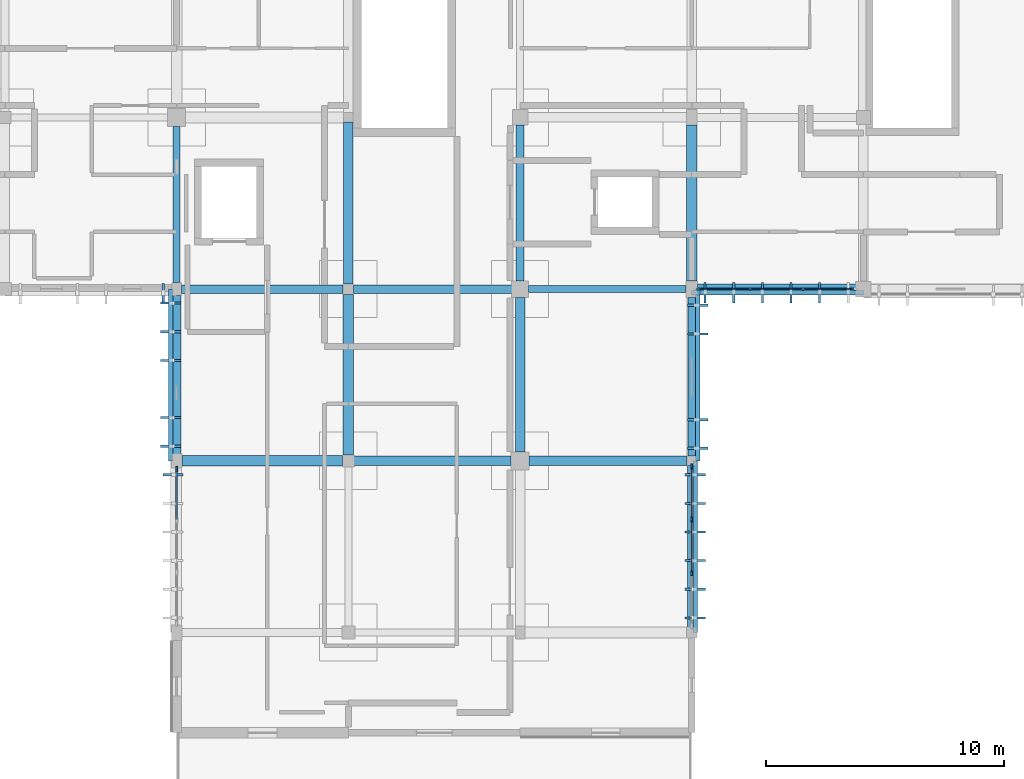
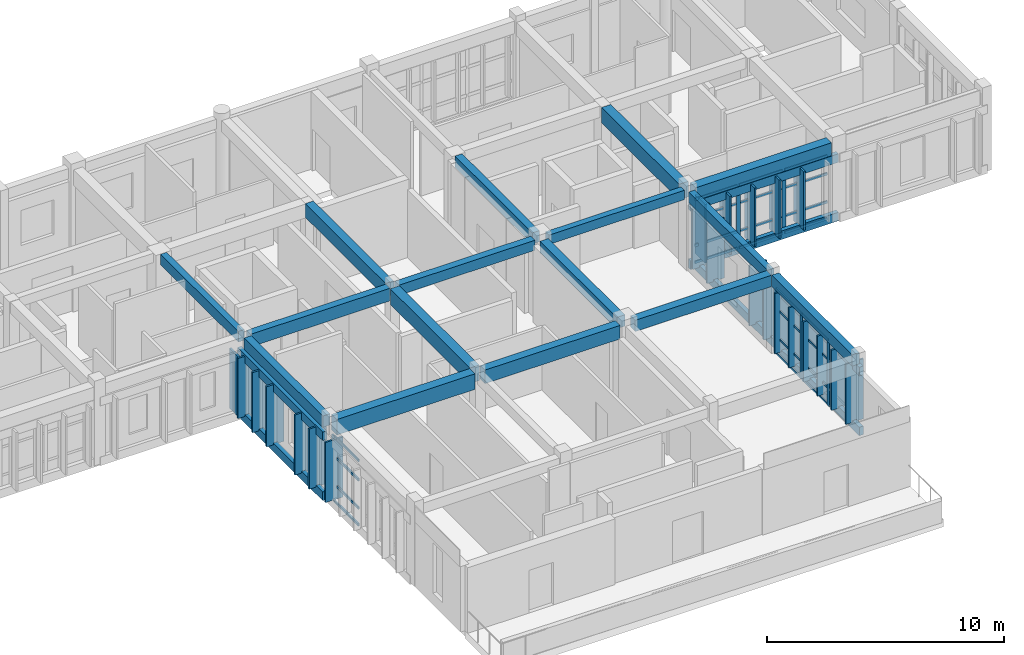
# One storey, part 3 of 19: 53 members, 24 beams, 3 elements without a shape of their own.
"""IFC4 building model written with IfcOpenShell, lengths in metres."""

from ifc_helpers import new_model, si_unit, direction, frame, origin, origin_2d, place, context, subcontext, project, spatial, rectangle, extrude, material, material_profile, profile_set, type_object, element, aggregate, save


model = new_model("IFC4")

# Units and contexts
model_context = context("Model", 3, precision=1e-05, world=origin(), true_north=direction((0.0, 1.0)))
body_context = subcontext(model_context, "Body", "Model", "MODEL_VIEW")
ifc_project = project(units=[si_unit("LENGTHUNIT", "METRE"), si_unit("AREAUNIT", "SQUARE_METRE"), si_unit("VOLUMEUNIT", "CUBIC_METRE"), si_unit("PLANEANGLEUNIT", "RADIAN"), si_unit("MASSUNIT", "GRAM", prefix="KILO")], contexts=[model_context])

# Site, building, storey
site_placement = place(None, origin())
site = spatial("IfcSite", under=ifc_project, at=site_placement, CompositionType="ELEMENT")
building_placement = place(site_placement, origin())
building = spatial("IfcBuilding", under=site, at=building_placement, Name="Steenspoor Specialist Clinic", CompositionType="ELEMENT")
storey_placement = place(building_placement, frame((0.0, 0.0, 21.60009765625)))
storey = spatial("IfcBuildingStorey", under=building, at=storey_placement, Name="L05", CompositionType="ELEMENT", Elevation=21.60009765625)

# Beams
ifc_material_1 = material(Name="Glulam GL28h", Category="wood")
ifc_material_profile_1 = material_profile(ifc_material_1, rectangle(XDim=0.199951171875, YDim=0.43994140625, at=origin_2d()), Name="GL28H-200X440")
ifc_profile_set_1 = profile_set([ifc_material_profile_1], Name="Glulam GL28h")
beam_type_1 = type_object("IfcBeamType", Name="BM-GL-200X440", PredefinedType="BEAM", material=ifc_profile_set_1)
for number, where, z_axis, x_axis, name in (
    (1, (73.75, 86.75, 0.139892578125), (0.0, 1.0, 0.0), (-1.0, 0.0, 0.0), "Timber Screen Tie Rail V4 L05 107"),
    (2, (73.75, 86.75, 3.22998046875), (0.0, 1.0, 0.0), (-1.0, 0.0, 0.0), "Timber Screen Tie Rail V4 L05 108"),
    (3, (102.800048828125, 93.800048828125, 0.139892578125), (-1.0, 0.0, 0.0), (0.0, -1.0, 0.0), "Timber Screen Tie Rail V4 L05 156"),
    (4, (102.800048828125, 93.800048828125, 3.14990234375), (-1.0, 0.0, 0.0), (0.0, -1.0, 0.0), "Timber Screen Tie Rail V4 L05 157"),
    (5, (95.85009765625, 93.949951171875, 0.139892578125), (0.0, -1.0, 0.0), (1.0, 0.0, 0.0), "Timber Screen Tie Rail V4 L05 164"),
    (6, (95.85009765625, 93.949951171875, 3.22998046875), (0.0, -1.0, 0.0), (1.0, 0.0, 0.0), "Timber Screen Tie Rail V4 L05 165"),
    (7, (95.75, 86.75, 0.139892578125), (0.0, -1.0, 0.0), (1.0, 0.0, 0.0), "Timber Screen Tie Rail V4 L05 170"),
    (8, (95.75, 86.75, 3.22998046875), (0.0, -1.0, 0.0), (1.0, 0.0, 0.0), "Timber Screen Tie Rail V4 L05 171"),
):
    element("IfcBeam", number, at=place(storey_placement, frame(where, z_axis=z_axis, x_axis=x_axis)), inside=storey, type_object=beam_type_1, Name=name, PredefinedType="BEAM", context=body_context, shape_type="SweptSolid", body=[
        extrude(rectangle(XDim=0.199951171875, YDim=0.43994140625, at=origin_2d()), origin(), (0.0, 0.0, 1.0), 7.199951171875),
    ])
ifc_material_2 = material(Name="Concrete C35/45", Category="concrete")
ifc_material_profile_2 = material_profile(ifc_material_2, rectangle(XDim=0.300048828125, YDim=0.47998046875, at=origin_2d()), Name="RC-BM-300X480")
ifc_profile_set_2 = profile_set([ifc_material_profile_2], Name="Concrete C35/45")
beam_type_2 = type_object("IfcBeamType", Name="BM-RC-300X480", PredefinedType="BEAM", material=ifc_profile_set_2)
beam_1_placement = place(storey_placement, frame((88.7451171875, 93.949951171875, 3.794921875), z_axis=(1.0, 0.0, 0.0), x_axis=(0.0, 1.0, 0.0)))
element("IfcBeam", 9, at=beam_1_placement, inside=storey, type_object=beam_type_2, Name="BM-V4-L05-X1014", PredefinedType="BEAM", context=body_context, shape_type="SweptSolid", body=[
    extrude(rectangle(XDim=0.300048828125, YDim=0.47998046875, at=origin_2d()), origin(), (0.0, 0.0, 1.0), 6.60986328125),
])
ifc_material_profile_3 = material_profile(ifc_material_2, rectangle(XDim=0.300048828125, YDim=0.550048828125, at=origin_2d()), Name="RC-BM-300X550")
ifc_profile_set_3 = profile_set([ifc_material_profile_3], Name="Concrete C35/45")
beam_type_3 = type_object("IfcBeamType", Name="BM-RC-300X550", PredefinedType="BEAM", material=ifc_profile_set_3)
beam_2_placement = place(storey_placement, frame((74.0, 94.219970703125, 3.760009765625), z_axis=(0.0, 1.0, 0.0), x_axis=(-1.0, 0.0, 0.0)))
element("IfcBeam", 10, at=beam_2_placement, inside=storey, type_object=beam_type_3, Name="BM-V4-L05-Y1034", PredefinedType="BEAM", context=body_context, shape_type="SweptSolid", body=[
    extrude(rectangle(XDim=0.300048828125, YDim=0.550048828125, at=origin_2d()), origin(), (0.0, 0.0, 1.0), 6.56005859375),
])
beam_3_placement = place(storey_placement, frame((95.60009765625, 86.945068359375, 3.760009765625), z_axis=(0.0, 1.0, 0.0), x_axis=(-1.0, 0.0, 0.0)))
element("IfcBeam", 11, at=beam_3_placement, inside=storey, type_object=beam_type_3, Name="BM-V4-L05-Y1045", PredefinedType="BEAM", context=body_context, shape_type="SweptSolid", body=[
    extrude(rectangle(XDim=0.300048828125, YDim=0.550048828125, at=origin_2d()), origin(), (0.0, 0.0, 1.0), 6.659912109375),
])
ifc_material_profile_4 = material_profile(ifc_material_2, rectangle(XDim=0.35009765625, YDim=0.52001953125, at=origin_2d()), Name="RC-BM-350X520")
ifc_profile_set_4 = profile_set([ifc_material_profile_4], Name="Concrete C35/45")
beam_type_4 = type_object("IfcBeamType", Name="BM-RC-350X520", PredefinedType="BEAM", material=ifc_profile_set_4)
beam_4_placement = place(storey_placement, frame((81.419921875, 93.949951171875, 3.77490234375), z_axis=(1.0, 0.0, 0.0), x_axis=(0.0, 1.0, 0.0)))
element("IfcBeam", 12, at=beam_4_placement, inside=storey, type_object=beam_type_4, Name="BM-V4-L05-X1013", PredefinedType="BEAM", context=body_context, shape_type="SweptSolid", body=[
    extrude(rectangle(XDim=0.35009765625, YDim=0.52001953125, at=origin_2d()), origin(), (0.0, 0.0, 1.0), 6.635009765625),
])
ifc_material_profile_5 = material_profile(ifc_material_2, rectangle(XDim=0.35009765625, YDim=0.580078125, at=origin_2d()), Name="RC-BM-350X580")
ifc_profile_set_5 = profile_set([ifc_material_profile_5], Name="Concrete C35/45")
beam_type_5 = type_object("IfcBeamType", Name="BM-RC-350X580", PredefinedType="BEAM", material=ifc_profile_set_5)
beam_5_placement = place(storey_placement, frame((74.0, 87.044921875, 3.744873046875), z_axis=(0.0, 1.0, 0.0), x_axis=(-1.0, 0.0, 0.0)))
element("IfcBeam", 13, at=beam_5_placement, inside=storey, type_object=beam_type_5, Name="BM-V4-L05-Y1033", PredefinedType="BEAM", context=body_context, shape_type="SweptSolid", body=[
    extrude(rectangle(XDim=0.35009765625, YDim=0.580078125, at=origin_2d()), origin(), (0.0, 0.0, 1.0), 6.635009765625),
])
beam_6_placement = place(storey_placement, frame((88.39990234375, 94.294921875, 3.744873046875), z_axis=(0.0, 1.0, 0.0), x_axis=(-1.0, 0.0, 0.0)))
element("IfcBeam", 14, at=beam_6_placement, inside=storey, type_object=beam_type_5, Name="BM-V4-L05-Y1042", PredefinedType="BEAM", context=body_context, shape_type="SweptSolid", body=[
    extrude(rectangle(XDim=0.35009765625, YDim=0.580078125, at=origin_2d()), origin(), (0.0, 0.0, 1.0), 6.53515625),
])
beam_7_placement = place(storey_placement, frame((95.60009765625, 79.77001953125, 3.744873046875), z_axis=(0.0, 1.0, 0.0), x_axis=(-1.0, 0.0, 0.0)))
element("IfcBeam", 15, at=beam_7_placement, inside=storey, type_object=beam_type_5, Name="BM-V4-L05-Y1044", PredefinedType="BEAM", context=body_context, shape_type="SweptSolid", body=[
    extrude(rectangle(XDim=0.35009765625, YDim=0.580078125, at=origin_2d()), origin(), (0.0, 0.0, 1.0), 6.784912109375),
])
ifc_material_profile_6 = material_profile(ifc_material_2, rectangle(XDim=0.35009765625, YDim=0.64990234375, at=origin_2d()), Name="RC-BM-350X650")
ifc_profile_set_6 = profile_set([ifc_material_profile_6], Name="Concrete C35/45")
beam_type_6 = type_object("IfcBeamType", Name="BM-RC-350X650", PredefinedType="BEAM", material=ifc_profile_set_6)
beam_8_placement = place(storey_placement, frame((74.195068359375, 93.949951171875, 3.7099609375), z_axis=(1.0, 0.0, 0.0), x_axis=(0.0, 1.0, 0.0)))
element("IfcBeam", 16, at=beam_8_placement, inside=storey, type_object=beam_type_6, Name="BM-V4-L05-X1012", PredefinedType="BEAM", context=body_context, shape_type="SweptSolid", body=[
    extrude(rectangle(XDim=0.35009765625, YDim=0.64990234375, at=origin_2d()), origin(), (0.0, 0.0, 1.0), 6.784912109375),
])
ifc_material_profile_7 = material_profile(ifc_material_2, rectangle(XDim=0.39990234375, YDim=0.580078125, at=origin_2d()), Name="RC-BM-400X580")
ifc_profile_set_7 = profile_set([ifc_material_profile_7], Name="Concrete C35/45")
beam_type_7 = type_object("IfcBeamType", Name="BM-RC-400X580", PredefinedType="BEAM", material=ifc_profile_set_7)
beam_9_placement = place(storey_placement, frame((88.77001953125, 86.75, 3.744873046875), z_axis=(1.0, 0.0, 0.0), x_axis=(0.0, 1.0, 0.0)))
element("IfcBeam", 17, at=beam_9_placement, inside=storey, type_object=beam_type_7, Name="BM-V4-L05-X1009", PredefinedType="BEAM", context=body_context, shape_type="SweptSolid", body=[
    extrude(rectangle(XDim=0.39990234375, YDim=0.580078125, at=origin_2d()), origin(), (0.0, 0.0, 1.0), 6.635009765625),
])
beam_10_placement = place(storey_placement, frame((88.39990234375, 87.1201171875, 3.744873046875), z_axis=(0.0, 1.0, 0.0), x_axis=(-1.0, 0.0, 0.0)))
element("IfcBeam", 18, at=beam_10_placement, inside=storey, type_object=beam_type_7, Name="BM-V4-L05-Y1041", PredefinedType="BEAM", context=body_context, shape_type="SweptSolid", body=[
    extrude(rectangle(XDim=0.39990234375, YDim=0.580078125, at=origin_2d()), origin(), (0.0, 0.0, 1.0), 6.48486328125),
])
ifc_material_profile_8 = material_profile(ifc_material_2, rectangle(XDim=0.39990234375, YDim=0.699951171875, at=origin_2d()), Name="RC-BM-400X700")
ifc_profile_set_8 = profile_set([ifc_material_profile_8], Name="Concrete C35/45")
beam_type_8 = type_object("IfcBeamType", Name="BM-RC-400X700", PredefinedType="BEAM", material=ifc_profile_set_8)
beam_11_placement = place(storey_placement, frame((81.445068359375, 86.75, 3.684814453125), z_axis=(1.0, 0.0, 0.0), x_axis=(0.0, 1.0, 0.0)))
element("IfcBeam", 19, at=beam_11_placement, inside=storey, type_object=beam_type_8, Name="BM-V4-L05-X1008", PredefinedType="BEAM", context=body_context, shape_type="SweptSolid", body=[
    extrude(rectangle(XDim=0.39990234375, YDim=0.699951171875, at=origin_2d()), origin(), (0.0, 0.0, 1.0), 6.5849609375),
])
beam_12_placement = place(storey_placement, frame((81.199951171875, 94.169921875, 3.684814453125), z_axis=(0.0, 1.0, 0.0), x_axis=(-1.0, 0.0, 0.0)))
element("IfcBeam", 20, at=beam_12_placement, inside=storey, type_object=beam_type_8, Name="BM-V4-L05-Y1038", PredefinedType="BEAM", context=body_context, shape_type="SweptSolid", body=[
    extrude(rectangle(XDim=0.39990234375, YDim=0.699951171875, at=origin_2d()), origin(), (0.0, 0.0, 1.0), 6.78515625),
])
ifc_material_profile_9 = material_profile(ifc_material_2, rectangle(XDim=0.449951171875, YDim=0.719970703125, at=origin_2d()), Name="RC-BM-450X720")
ifc_profile_set_9 = profile_set([ifc_material_profile_9], Name="Concrete C35/45")
beam_type_9 = type_object("IfcBeamType", Name="BM-RC-450X720", PredefinedType="BEAM", material=ifc_profile_set_9)
beam_13_placement = place(storey_placement, frame((95.844970703125, 93.949951171875, 3.6748046875), z_axis=(1.0, 0.0, 0.0), x_axis=(0.0, 1.0, 0.0)))
element("IfcBeam", 21, at=beam_13_placement, inside=storey, type_object=beam_type_9, Name="BM-V4-L05-X1015", PredefinedType="BEAM", context=body_context, shape_type="SweptSolid", body=[
    extrude(rectangle(XDim=0.449951171875, YDim=0.719970703125, at=origin_2d()), origin(), (0.0, 0.0, 1.0), 6.635009765625),
])
ifc_material_profile_10 = material_profile(ifc_material_2, rectangle(XDim=0.449951171875, YDim=0.800048828125, at=origin_2d()), Name="RC-BM-450X800")
ifc_profile_set_10 = profile_set([ifc_material_profile_10], Name="Concrete C35/45")
beam_type_10 = type_object("IfcBeamType", Name="BM-RC-450X800", PredefinedType="BEAM", material=ifc_profile_set_10)
beam_14_placement = place(storey_placement, frame((74.219970703125, 86.75, 3.635009765625), z_axis=(1.0, 0.0, 0.0), x_axis=(0.0, 1.0, 0.0)))
element("IfcBeam", 22, at=beam_14_placement, inside=storey, type_object=beam_type_10, Name="BM-V4-L05-X1007", PredefinedType="BEAM", context=body_context, shape_type="SweptSolid", body=[
    extrude(rectangle(XDim=0.449951171875, YDim=0.800048828125, at=origin_2d()), origin(), (0.0, 0.0, 1.0), 6.735107421875),
])
beam_15_placement = place(storey_placement, frame((81.199951171875, 86.9951171875, 3.635009765625), z_axis=(0.0, 1.0, 0.0), x_axis=(-1.0, 0.0, 0.0)))
element("IfcBeam", 23, at=beam_15_placement, inside=storey, type_object=beam_type_10, Name="BM-V4-L05-Y1037", PredefinedType="BEAM", context=body_context, shape_type="SweptSolid", body=[
    extrude(rectangle(XDim=0.449951171875, YDim=0.800048828125, at=origin_2d()), origin(), (0.0, 0.0, 1.0), 6.73486328125),
])
beam_16_placement = place(storey_placement, frame((95.60009765625, 94.294921875, 3.635009765625), z_axis=(0.0, 1.0, 0.0), x_axis=(-1.0, 0.0, 0.0)))
element("IfcBeam", 24, at=beam_16_placement, inside=storey, type_object=beam_type_10, Name="BM-V4-L05-Y1046", PredefinedType="BEAM", context=body_context, shape_type="SweptSolid", body=[
    extrude(rectangle(XDim=0.449951171875, YDim=0.800048828125, at=origin_2d()), origin(), (0.0, 0.0, 1.0), 6.53515625),
])

# Curtain wall, member
ifc_material_3 = material(Name="Thermally broken aluminium and low-emissivity glass", Category="aluminium")
curtain_wall_type_1 = type_object("IfcCurtainWallType", Name="CW-TYP-480X355", PredefinedType="USERDEFINED", material=ifc_material_3)
curtain_wall_1_placement = place(storey_placement, origin())
curtain_wall_1 = element("IfcCurtainWall", 25, at=curtain_wall_1_placement, inside=storey, type_object=curtain_wall_type_1, Name="Unitised Curtain Wall CW-V4-L05-132", ObjectType="UNITISED GLAZING", PredefinedType="USERDEFINED")
ifc_material_4 = material(Name="Thermally broken aluminium 6063-T6", Category="aluminium")
ifc_material_profile_11 = material_profile(ifc_material_4, rectangle(XDim=0.080078125, YDim=0.219970703125, at=origin_2d()), Name="CWM-80X220")
ifc_profile_set_11 = profile_set([ifc_material_profile_11], Name="Thermally broken aluminium 6063-T6")
member_type_1 = type_object("IfcMemberType", Name="CW-MULL-80X220", PredefinedType="MULLION", material=ifc_profile_set_11)
member_1_placement = place(storey_placement, frame((74.0, 86.409912109375, 0.0), z_axis=(0.0, 0.0, 1.0), x_axis=(-1.0, 0.0, 0.0)))
member_1 = element("IfcMember", 26, at=member_1_placement, type_object=member_type_1, Name="CW-12 mullion 4", PredefinedType="MULLION", context=body_context, shape_type="SweptSolid", body=[
    extrude(rectangle(XDim=0.080078125, YDim=0.219970703125, at=origin_2d()), origin(), (0.0, 0.0, 1.0), 3.3798828125),
])

# Curtain wall, members
curtain_wall_type_2 = type_object("IfcCurtainWallType", Name="CW-SCR-480X320", PredefinedType="USERDEFINED", material=ifc_material_3)
curtain_wall_2_placement = place(storey_placement, origin())
curtain_wall_2 = element("IfcCurtainWall", 27, at=curtain_wall_2_placement, inside=storey, type_object=curtain_wall_type_2, Name="Unitised Curtain Wall CW-V4-L05-138", ObjectType="UNITISED GLAZING", PredefinedType="USERDEFINED")
member_2_placement = place(storey_placement, frame((95.60009765625, 86.510009765625, 0.0), z_axis=(0.0, 0.0, 1.0), x_axis=(1.0, 0.0, 0.0)))
member_2 = element("IfcMember", 28, at=member_2_placement, type_object=member_type_1, Name="CW-18 mullion 1", PredefinedType="MULLION", context=body_context, shape_type="SweptSolid", body=[
    extrude(rectangle(XDim=0.080078125, YDim=0.219970703125, at=origin_2d()), origin(), (0.0, 0.0, 1.0), 3.3798828125),
])
member_3_placement = place(storey_placement, frame((95.60009765625, 84.291748046875, 0.0), z_axis=(0.0, 0.0, 1.0), x_axis=(1.0, 0.0, 0.0)))
member_3 = element("IfcMember", 29, at=member_3_placement, type_object=member_type_1, Name="CW-18 mullion 2", PredefinedType="MULLION", context=body_context, shape_type="SweptSolid", body=[
    extrude(rectangle(XDim=0.080078125, YDim=0.219970703125, at=origin_2d()), origin(), (0.0, 0.0, 1.0), 3.3798828125),
])
member_4_placement = place(storey_placement, frame((95.60009765625, 82.033447265625, 0.0), z_axis=(0.0, 0.0, 1.0), x_axis=(1.0, 0.0, 0.0)))
member_4 = element("IfcMember", 30, at=member_4_placement, type_object=member_type_1, Name="CW-18 mullion 3", PredefinedType="MULLION", context=body_context, shape_type="SweptSolid", body=[
    extrude(rectangle(XDim=0.080078125, YDim=0.219970703125, at=origin_2d()), origin(), (0.0, 0.0, 1.0), 3.3798828125),
])

curtain_wall_type_3 = type_object("IfcCurtainWallType", Name="CW-SCR-660X320", PredefinedType="USERDEFINED", material=ifc_material_3)
curtain_wall_3_placement = place(storey_placement, origin())
curtain_wall_3 = element("IfcCurtainWall", 31, at=curtain_wall_3_placement, inside=storey, type_object=curtain_wall_type_3, Name="Unitised Curtain Wall CW-V4-L05-137", ObjectType="UNITISED GLAZING", PredefinedType="USERDEFINED")
ifc_material_profile_12 = material_profile(ifc_material_4, rectangle(XDim=0.090087890625, YDim=0.199951171875, at=origin_2d()), Name="CWM-90X200")
ifc_profile_set_12 = profile_set([ifc_material_profile_12], Name="Thermally broken aluminium 6063-T6")
member_type_2 = type_object("IfcMemberType", Name="CW-MULL-90X200", PredefinedType="MULLION", material=ifc_profile_set_12)
member_5_placement = place(storey_placement, frame((100.2666015625, 93.949951171875, 0.0), z_axis=(0.0, 0.0, 1.0), x_axis=(0.0, -1.0, 0.0)))
member_5 = element("IfcMember", 32, at=member_5_placement, type_object=member_type_2, Name="CW-17 mullion 2", PredefinedType="MULLION", context=body_context, shape_type="SweptSolid", body=[
    extrude(rectangle(XDim=0.090087890625, YDim=0.199951171875, at=origin_2d()), origin(), (0.0, 0.0, 1.0), 3.2998046875),
])
member_6_placement = place(storey_placement, frame((98.058349609375, 93.949951171875, 0.0), z_axis=(0.0, 0.0, 1.0), x_axis=(0.0, -1.0, 0.0)))
member_6 = element("IfcMember", 33, at=member_6_placement, type_object=member_type_2, Name="CW-17 mullion 3", PredefinedType="MULLION", context=body_context, shape_type="SweptSolid", body=[
    extrude(rectangle(XDim=0.090087890625, YDim=0.199951171875, at=origin_2d()), origin(), (0.0, 0.0, 1.0), 3.2998046875),
])
member_7_placement = place(storey_placement, frame((95.89501953125, 93.949951171875, 0.0), z_axis=(0.0, 0.0, 1.0), x_axis=(0.0, -1.0, 0.0)))
member_7 = element("IfcMember", 34, at=member_7_placement, type_object=member_type_2, Name="CW-17 mullion 4", PredefinedType="MULLION", context=body_context, shape_type="SweptSolid", body=[
    extrude(rectangle(XDim=0.090087890625, YDim=0.199951171875, at=origin_2d()), origin(), (0.0, 0.0, 1.0), 3.2998046875),
])

# Member
ifc_material_profile_13 = material_profile(ifc_material_4, rectangle(XDim=0.06005859375, YDim=0.114990234375, at=origin_2d()), Name="CWT-60X115")
ifc_profile_set_13 = profile_set([ifc_material_profile_13], Name="Thermally broken aluminium 6063-T6")
member_type_3 = type_object("IfcMemberType", Name="CW-TRAN-60X115", PredefinedType="USERDEFINED", material=ifc_profile_set_13)
member_8_placement = place(storey_placement, frame((95.60009765625, 86.469970703125, 0.02978515625), z_axis=(0.0, -1.0, 0.0), x_axis=(1.0, 0.0, 0.0)))
member_8 = element("IfcMember", 35, at=member_8_placement, type_object=member_type_3, Name="CW-18 transom 1.1", ObjectType="TRANSOM", PredefinedType="USERDEFINED", context=body_context, shape_type="SweptSolid", body=[
    extrude(rectangle(XDim=0.06005859375, YDim=0.114990234375, at=origin_2d()), origin(), (0.0, 0.0, 1.0), 2.13818359375),
])

member_9_placement = place(storey_placement, frame((95.60009765625, 86.469970703125, 0.89990234375), z_axis=(0.0, -1.0, 0.0), x_axis=(1.0, 0.0, 0.0)))
member_9 = element("IfcMember", 36, at=member_9_placement, type_object=member_type_3, Name="CW-18 transom 1.2", ObjectType="TRANSOM", PredefinedType="USERDEFINED", context=body_context, shape_type="SweptSolid", body=[
    extrude(rectangle(XDim=0.06005859375, YDim=0.114990234375, at=origin_2d()), origin(), (0.0, 0.0, 1.0), 2.13818359375),
])

member_10_placement = place(storey_placement, frame((95.60009765625, 86.469970703125, 2.349853515625), z_axis=(0.0, -1.0, 0.0), x_axis=(1.0, 0.0, 0.0)))
member_10 = element("IfcMember", 37, at=member_10_placement, type_object=member_type_3, Name="CW-18 transom 1.3", ObjectType="TRANSOM", PredefinedType="USERDEFINED", context=body_context, shape_type="SweptSolid", body=[
    extrude(rectangle(XDim=0.06005859375, YDim=0.114990234375, at=origin_2d()), origin(), (0.0, 0.0, 1.0), 2.13818359375),
])

member_11_placement = place(storey_placement, frame((95.60009765625, 86.469970703125, 3.349853515625), z_axis=(0.0, -1.0, 0.0), x_axis=(1.0, 0.0, 0.0)))
member_11 = element("IfcMember", 38, at=member_11_placement, type_object=member_type_3, Name="CW-18 transom 1.4", ObjectType="TRANSOM", PredefinedType="USERDEFINED", context=body_context, shape_type="SweptSolid", body=[
    extrude(rectangle(XDim=0.06005859375, YDim=0.114990234375, at=origin_2d()), origin(), (0.0, 0.0, 1.0), 2.13818359375),
])

member_12_placement = place(storey_placement, frame((95.60009765625, 84.251708984375, 0.02978515625), z_axis=(0.0, -1.0, 0.0), x_axis=(1.0, 0.0, 0.0)))
member_12 = element("IfcMember", 39, at=member_12_placement, type_object=member_type_3, Name="CW-18 transom 2.1", ObjectType="TRANSOM", PredefinedType="USERDEFINED", context=body_context, shape_type="SweptSolid", body=[
    extrude(rectangle(XDim=0.06005859375, YDim=0.114990234375, at=origin_2d()), origin(), (0.0, 0.0, 1.0), 2.178466796875),
])

member_13_placement = place(storey_placement, frame((95.60009765625, 84.251708984375, 0.89990234375), z_axis=(0.0, -1.0, 0.0), x_axis=(1.0, 0.0, 0.0)))
member_13 = element("IfcMember", 40, at=member_13_placement, type_object=member_type_3, Name="CW-18 transom 2.2", ObjectType="TRANSOM", PredefinedType="USERDEFINED", context=body_context, shape_type="SweptSolid", body=[
    extrude(rectangle(XDim=0.06005859375, YDim=0.114990234375, at=origin_2d()), origin(), (0.0, 0.0, 1.0), 2.178466796875),
])

member_14_placement = place(storey_placement, frame((95.60009765625, 84.251708984375, 2.349853515625), z_axis=(0.0, -1.0, 0.0), x_axis=(1.0, 0.0, 0.0)))
member_14 = element("IfcMember", 41, at=member_14_placement, type_object=member_type_3, Name="CW-18 transom 2.3", ObjectType="TRANSOM", PredefinedType="USERDEFINED", context=body_context, shape_type="SweptSolid", body=[
    extrude(rectangle(XDim=0.06005859375, YDim=0.114990234375, at=origin_2d()), origin(), (0.0, 0.0, 1.0), 2.178466796875),
])

member_15_placement = place(storey_placement, frame((95.60009765625, 84.251708984375, 3.349853515625), z_axis=(0.0, -1.0, 0.0), x_axis=(1.0, 0.0, 0.0)))
member_15 = element("IfcMember", 42, at=member_15_placement, type_object=member_type_3, Name="CW-18 transom 2.4", ObjectType="TRANSOM", PredefinedType="USERDEFINED", context=body_context, shape_type="SweptSolid", body=[
    extrude(rectangle(XDim=0.06005859375, YDim=0.114990234375, at=origin_2d()), origin(), (0.0, 0.0, 1.0), 2.178466796875),
])

aggregate(curtain_wall_2, [member_2, member_3, member_4, member_8, member_9, member_10, member_11, member_12, member_13, member_14, member_15])

ifc_material_profile_14 = material_profile(ifc_material_4, rectangle(XDim=0.06494140625, YDim=0.1298828125, at=origin_2d()), Name="CWT-65X130")
ifc_profile_set_14 = profile_set([ifc_material_profile_14], Name="Thermally broken aluminium 6063-T6")
member_type_4 = type_object("IfcMemberType", Name="CW-TRAN-65X130", PredefinedType="USERDEFINED", material=ifc_profile_set_14)
member_16_placement = place(storey_placement, frame((74.0, 84.29833984375, 0.032470703125), z_axis=(0.0, 1.0, 0.0), x_axis=(-1.0, 0.0, 0.0)))
member_16 = element("IfcMember", 43, at=member_16_placement, type_object=member_type_4, Name="CW-12 transom 3.1", ObjectType="TRANSOM", PredefinedType="USERDEFINED", context=body_context, shape_type="SweptSolid", body=[
    extrude(rectangle(XDim=0.06494140625, YDim=0.1298828125, at=origin_2d()), origin(), (0.0, 0.0, 1.0), 2.07177734375),
])

member_17_placement = place(storey_placement, frame((74.0, 84.29833984375, 0.89990234375), z_axis=(0.0, 1.0, 0.0), x_axis=(-1.0, 0.0, 0.0)))
member_17 = element("IfcMember", 44, at=member_17_placement, type_object=member_type_4, Name="CW-12 transom 3.2", ObjectType="TRANSOM", PredefinedType="USERDEFINED", context=body_context, shape_type="SweptSolid", body=[
    extrude(rectangle(XDim=0.06494140625, YDim=0.1298828125, at=origin_2d()), origin(), (0.0, 0.0, 1.0), 2.07177734375),
])

member_18_placement = place(storey_placement, frame((74.0, 84.29833984375, 2.349853515625), z_axis=(0.0, 1.0, 0.0), x_axis=(-1.0, 0.0, 0.0)))
member_18 = element("IfcMember", 45, at=member_18_placement, type_object=member_type_4, Name="CW-12 transom 3.3", ObjectType="TRANSOM", PredefinedType="USERDEFINED", context=body_context, shape_type="SweptSolid", body=[
    extrude(rectangle(XDim=0.06494140625, YDim=0.1298828125, at=origin_2d()), origin(), (0.0, 0.0, 1.0), 2.07177734375),
])

member_19_placement = place(storey_placement, frame((74.0, 84.29833984375, 3.347412109375), z_axis=(0.0, 1.0, 0.0), x_axis=(-1.0, 0.0, 0.0)))
member_19 = element("IfcMember", 46, at=member_19_placement, type_object=member_type_4, Name="CW-12 transom 3.4", ObjectType="TRANSOM", PredefinedType="USERDEFINED", context=body_context, shape_type="SweptSolid", body=[
    extrude(rectangle(XDim=0.06494140625, YDim=0.1298828125, at=origin_2d()), origin(), (0.0, 0.0, 1.0), 2.07177734375),
])

aggregate(curtain_wall_1, [member_1, member_16, member_17, member_18, member_19])

member_20_placement = place(storey_placement, frame((102.385009765625, 93.949951171875, 0.032470703125), z_axis=(-1.0, 0.0, 0.0), x_axis=(0.0, -1.0, 0.0)))
member_20 = element("IfcMember", 47, at=member_20_placement, type_object=member_type_4, Name="CW-17 transom 1.1", ObjectType="TRANSOM", PredefinedType="USERDEFINED", context=body_context, shape_type="SweptSolid", body=[
    extrude(rectangle(XDim=0.06494140625, YDim=0.1298828125, at=origin_2d()), origin(), (0.0, 0.0, 1.0), 2.0732421875),
])

member_21_placement = place(storey_placement, frame((102.385009765625, 93.949951171875, 0.89990234375), z_axis=(-1.0, 0.0, 0.0), x_axis=(0.0, -1.0, 0.0)))
member_21 = element("IfcMember", 48, at=member_21_placement, type_object=member_type_4, Name="CW-17 transom 1.2", ObjectType="TRANSOM", PredefinedType="USERDEFINED", context=body_context, shape_type="SweptSolid", body=[
    extrude(rectangle(XDim=0.06494140625, YDim=0.1298828125, at=origin_2d()), origin(), (0.0, 0.0, 1.0), 2.0732421875),
])

member_22_placement = place(storey_placement, frame((102.385009765625, 93.949951171875, 2.349853515625), z_axis=(-1.0, 0.0, 0.0), x_axis=(0.0, -1.0, 0.0)))
member_22 = element("IfcMember", 49, at=member_22_placement, type_object=member_type_4, Name="CW-17 transom 1.3", ObjectType="TRANSOM", PredefinedType="USERDEFINED", context=body_context, shape_type="SweptSolid", body=[
    extrude(rectangle(XDim=0.06494140625, YDim=0.1298828125, at=origin_2d()), origin(), (0.0, 0.0, 1.0), 2.0732421875),
])

member_23_placement = place(storey_placement, frame((102.385009765625, 93.949951171875, 3.267333984375), z_axis=(-1.0, 0.0, 0.0), x_axis=(0.0, -1.0, 0.0)))
member_23 = element("IfcMember", 50, at=member_23_placement, type_object=member_type_4, Name="CW-17 transom 1.4", ObjectType="TRANSOM", PredefinedType="USERDEFINED", context=body_context, shape_type="SweptSolid", body=[
    extrude(rectangle(XDim=0.06494140625, YDim=0.1298828125, at=origin_2d()), origin(), (0.0, 0.0, 1.0), 2.0732421875),
])

member_24_placement = place(storey_placement, frame((100.2216796875, 93.949951171875, 0.032470703125), z_axis=(-1.0, 0.0, 0.0), x_axis=(0.0, -1.0, 0.0)))
member_24 = element("IfcMember", 51, at=member_24_placement, type_object=member_type_4, Name="CW-17 transom 2.1", ObjectType="TRANSOM", PredefinedType="USERDEFINED", context=body_context, shape_type="SweptSolid", body=[
    extrude(rectangle(XDim=0.06494140625, YDim=0.1298828125, at=origin_2d()), origin(), (0.0, 0.0, 1.0), 2.118408203125),
])

member_25_placement = place(storey_placement, frame((100.2216796875, 93.949951171875, 0.89990234375), z_axis=(-1.0, 0.0, 0.0), x_axis=(0.0, -1.0, 0.0)))
member_25 = element("IfcMember", 52, at=member_25_placement, type_object=member_type_4, Name="CW-17 transom 2.2", ObjectType="TRANSOM", PredefinedType="USERDEFINED", context=body_context, shape_type="SweptSolid", body=[
    extrude(rectangle(XDim=0.06494140625, YDim=0.1298828125, at=origin_2d()), origin(), (0.0, 0.0, 1.0), 2.118408203125),
])

member_26_placement = place(storey_placement, frame((100.2216796875, 93.949951171875, 2.349853515625), z_axis=(-1.0, 0.0, 0.0), x_axis=(0.0, -1.0, 0.0)))
member_26 = element("IfcMember", 53, at=member_26_placement, type_object=member_type_4, Name="CW-17 transom 2.3", ObjectType="TRANSOM", PredefinedType="USERDEFINED", context=body_context, shape_type="SweptSolid", body=[
    extrude(rectangle(XDim=0.06494140625, YDim=0.1298828125, at=origin_2d()), origin(), (0.0, 0.0, 1.0), 2.118408203125),
])

member_27_placement = place(storey_placement, frame((100.2216796875, 93.949951171875, 3.267333984375), z_axis=(-1.0, 0.0, 0.0), x_axis=(0.0, -1.0, 0.0)))
member_27 = element("IfcMember", 54, at=member_27_placement, type_object=member_type_4, Name="CW-17 transom 2.4", ObjectType="TRANSOM", PredefinedType="USERDEFINED", context=body_context, shape_type="SweptSolid", body=[
    extrude(rectangle(XDim=0.06494140625, YDim=0.1298828125, at=origin_2d()), origin(), (0.0, 0.0, 1.0), 2.118408203125),
])

member_28_placement = place(storey_placement, frame((98.013427734375, 93.949951171875, 0.032470703125), z_axis=(-1.0, 0.0, 0.0), x_axis=(0.0, -1.0, 0.0)))
member_28 = element("IfcMember", 55, at=member_28_placement, type_object=member_type_4, Name="CW-17 transom 3.1", ObjectType="TRANSOM", PredefinedType="USERDEFINED", context=body_context, shape_type="SweptSolid", body=[
    extrude(rectangle(XDim=0.06494140625, YDim=0.1298828125, at=origin_2d()), origin(), (0.0, 0.0, 1.0), 2.073486328125),
])

member_29_placement = place(storey_placement, frame((98.013427734375, 93.949951171875, 0.89990234375), z_axis=(-1.0, 0.0, 0.0), x_axis=(0.0, -1.0, 0.0)))
member_29 = element("IfcMember", 56, at=member_29_placement, type_object=member_type_4, Name="CW-17 transom 3.2", ObjectType="TRANSOM", PredefinedType="USERDEFINED", context=body_context, shape_type="SweptSolid", body=[
    extrude(rectangle(XDim=0.06494140625, YDim=0.1298828125, at=origin_2d()), origin(), (0.0, 0.0, 1.0), 2.073486328125),
])

member_30_placement = place(storey_placement, frame((98.013427734375, 93.949951171875, 2.349853515625), z_axis=(-1.0, 0.0, 0.0), x_axis=(0.0, -1.0, 0.0)))
member_30 = element("IfcMember", 57, at=member_30_placement, type_object=member_type_4, Name="CW-17 transom 3.3", ObjectType="TRANSOM", PredefinedType="USERDEFINED", context=body_context, shape_type="SweptSolid", body=[
    extrude(rectangle(XDim=0.06494140625, YDim=0.1298828125, at=origin_2d()), origin(), (0.0, 0.0, 1.0), 2.073486328125),
])

member_31_placement = place(storey_placement, frame((98.013427734375, 93.949951171875, 3.267333984375), z_axis=(-1.0, 0.0, 0.0), x_axis=(0.0, -1.0, 0.0)))
member_31 = element("IfcMember", 58, at=member_31_placement, type_object=member_type_4, Name="CW-17 transom 3.4", ObjectType="TRANSOM", PredefinedType="USERDEFINED", context=body_context, shape_type="SweptSolid", body=[
    extrude(rectangle(XDim=0.06494140625, YDim=0.1298828125, at=origin_2d()), origin(), (0.0, 0.0, 1.0), 2.073486328125),
])

aggregate(curtain_wall_3, [member_5, member_6, member_7, member_20, member_21, member_22, member_23, member_24, member_25, member_26, member_27, member_28, member_29, member_30, member_31])

# Members
ifc_material_profile_15 = material_profile(ifc_material_1, rectangle(XDim=0.090087890625, YDim=0.85009765625, at=origin_2d()), Name="GL28H-90X850")
ifc_profile_set_15 = profile_set([ifc_material_profile_15], Name="Glulam GL28h")
member_type_5 = type_object("IfcMemberType", Name="MEM-SCREEN-GL850", PredefinedType="STRUT", material=ifc_profile_set_15)
for number, where, z_axis, x_axis, name in (
    (59, (73.85009765625, 86.16259765625, 0.27001953125), (0.0, 0.0, 1.0), (0.0, 1.0, 0.0), "Glulam Timber Screen Fin SCR-FIN-V4-L05-0106"),
    (60, (73.75, 87.362548828125, 0.27001953125), (0.0, 0.0, 1.0), (0.0, 1.0, 0.0), "Glulam Timber Screen Fin SCR-FIN-V4-L05-0109"),
    (61, (73.75, 88.5625, 0.27001953125), (0.0, 0.0, 1.0), (0.0, 1.0, 0.0), "Glulam Timber Screen Fin SCR-FIN-V4-L05-0110"),
    (62, (73.75, 90.96240234375, 0.27001953125), (0.0, 0.0, 1.0), (0.0, 1.0, 0.0), "Glulam Timber Screen Fin SCR-FIN-V4-L05-0111"),
    (63, (73.75, 92.16259765625, 0.27001953125), (0.0, 0.0, 1.0), (0.0, 1.0, 0.0), "Glulam Timber Screen Fin SCR-FIN-V4-L05-0112"),
    (64, (73.75, 93.362548828125, 0.27001953125), (0.0, 0.0, 1.0), (0.0, 1.0, 0.0), "Glulam Timber Screen Fin SCR-FIN-V4-L05-0113"),
):
    element("IfcMember", number, at=place(storey_placement, frame(where, z_axis=z_axis, x_axis=x_axis)), inside=storey, type_object=member_type_5, Name=name, PredefinedType="STRUT", context=body_context, shape_type="SweptSolid", body=[
        extrude(rectangle(XDim=0.090087890625, YDim=0.85009765625, at=origin_2d()), origin(), (0.0, 0.0, 1.0), 3.099853515625),
    ])
member_32_placement = place(storey_placement, frame((73.4375, 93.760009765625, 0.27001953125), z_axis=(0.0, 0.0, 1.0), x_axis=(-1.0, 0.0, 0.0)))
element("IfcMember", 65, at=member_32_placement, inside=storey, type_object=member_type_5, Name="Glulam Timber Screen Fin SCR-FIN-V4-L05-0116", PredefinedType="STRUT", context=body_context, shape_type="SweptSolid", body=[
    extrude(rectangle(XDim=0.090087890625, YDim=0.85009765625, at=origin_2d()), origin(), (0.0, 0.0, 1.0), 3.08984375),
])
for number, where, z_axis, x_axis, name in (
    (66, (100.96240234375, 93.800048828125, 0.27001953125), (0.0, 0.0, 1.0), (-1.0, 0.0, 0.0), "Glulam Timber Screen Fin SCR-FIN-V4-L05-0159"),
    (67, (99.762451171875, 93.800048828125, 0.27001953125), (0.0, 0.0, 1.0), (-1.0, 0.0, 0.0), "Glulam Timber Screen Fin SCR-FIN-V4-L05-0160"),
    (68, (98.5625, 93.800048828125, 0.27001953125), (0.0, 0.0, 1.0), (-1.0, 0.0, 0.0), "Glulam Timber Screen Fin SCR-FIN-V4-L05-0161"),
    (69, (97.362548828125, 93.800048828125, 0.27001953125), (0.0, 0.0, 1.0), (-1.0, 0.0, 0.0), "Glulam Timber Screen Fin SCR-FIN-V4-L05-0162"),
    (70, (96.16259765625, 93.800048828125, 0.27001953125), (0.0, 0.0, 1.0), (-1.0, 0.0, 0.0), "Glulam Timber Screen Fin SCR-FIN-V4-L05-0163"),
):
    element("IfcMember", number, at=place(storey_placement, frame(where, z_axis=z_axis, x_axis=x_axis)), inside=storey, type_object=member_type_5, Name=name, PredefinedType="STRUT", context=body_context, shape_type="SweptSolid", body=[
        extrude(rectangle(XDim=0.090087890625, YDim=0.85009765625, at=origin_2d()), origin(), (0.0, 0.0, 1.0), 3.019775390625),
    ])
for number, where, z_axis, x_axis, name in (
    (71, (95.85009765625, 93.27490234375, 0.27001953125), (0.0, 0.0, 1.0), (0.0, -1.0, 0.0), "Glulam Timber Screen Fin SCR-FIN-V4-L05-0166"),
    (72, (95.85009765625, 92.074951171875, 0.27001953125), (0.0, 0.0, 1.0), (0.0, -1.0, 0.0), "Glulam Timber Screen Fin SCR-FIN-V4-L05-0167"),
    (73, (95.85009765625, 88.47509765625, 0.27001953125), (0.0, 0.0, 1.0), (0.0, -1.0, 0.0), "Glulam Timber Screen Fin SCR-FIN-V4-L05-0168"),
    (74, (95.85009765625, 87.27490234375, 0.27001953125), (0.0, 0.0, 1.0), (0.0, -1.0, 0.0), "Glulam Timber Screen Fin SCR-FIN-V4-L05-0169"),
    (75, (95.75, 86.16259765625, 0.27001953125), (0.0, 0.0, 1.0), (0.0, -1.0, 0.0), "Glulam Timber Screen Fin SCR-FIN-V4-L05-0172"),
    (76, (95.75, 84.96240234375, 0.27001953125), (0.0, 0.0, 1.0), (0.0, -1.0, 0.0), "Glulam Timber Screen Fin SCR-FIN-V4-L05-0173"),
    (77, (95.75, 83.762451171875, 0.27001953125), (0.0, 0.0, 1.0), (0.0, -1.0, 0.0), "Glulam Timber Screen Fin SCR-FIN-V4-L05-0174"),
    (78, (95.75, 82.5625, 0.27001953125), (0.0, 0.0, 1.0), (0.0, -1.0, 0.0), "Glulam Timber Screen Fin SCR-FIN-V4-L05-0175"),
    (79, (95.75, 81.362548828125, 0.27001953125), (0.0, 0.0, 1.0), (0.0, -1.0, 0.0), "Glulam Timber Screen Fin SCR-FIN-V4-L05-0176"),
    (80, (95.75, 80.16259765625, 0.27001953125), (0.0, 0.0, 1.0), (0.0, -1.0, 0.0), "Glulam Timber Screen Fin SCR-FIN-V4-L05-0177"),
):
    element("IfcMember", number, at=place(storey_placement, frame(where, z_axis=z_axis, x_axis=x_axis)), inside=storey, type_object=member_type_5, Name=name, PredefinedType="STRUT", context=body_context, shape_type="SweptSolid", body=[
        extrude(rectangle(XDim=0.090087890625, YDim=0.85009765625, at=origin_2d()), origin(), (0.0, 0.0, 1.0), 3.099853515625),
    ])

save(model, "model.ifc")
